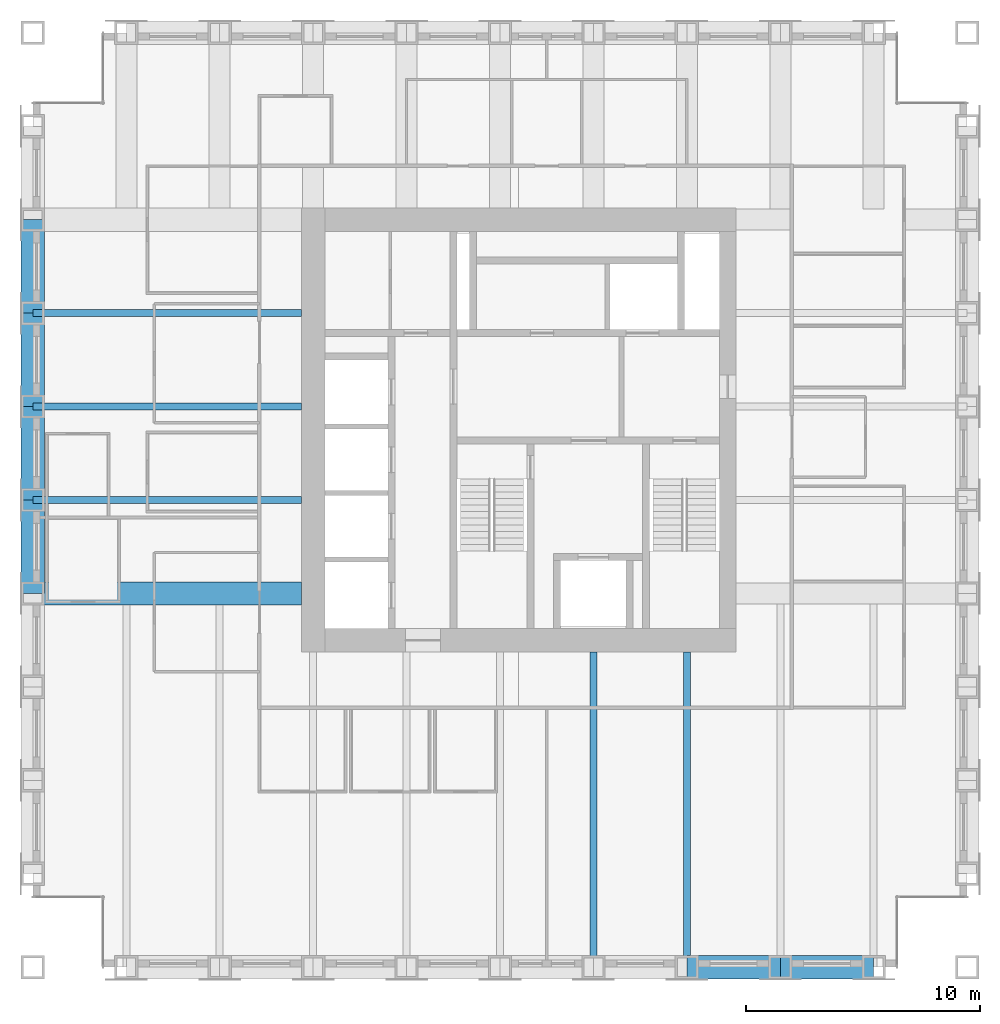
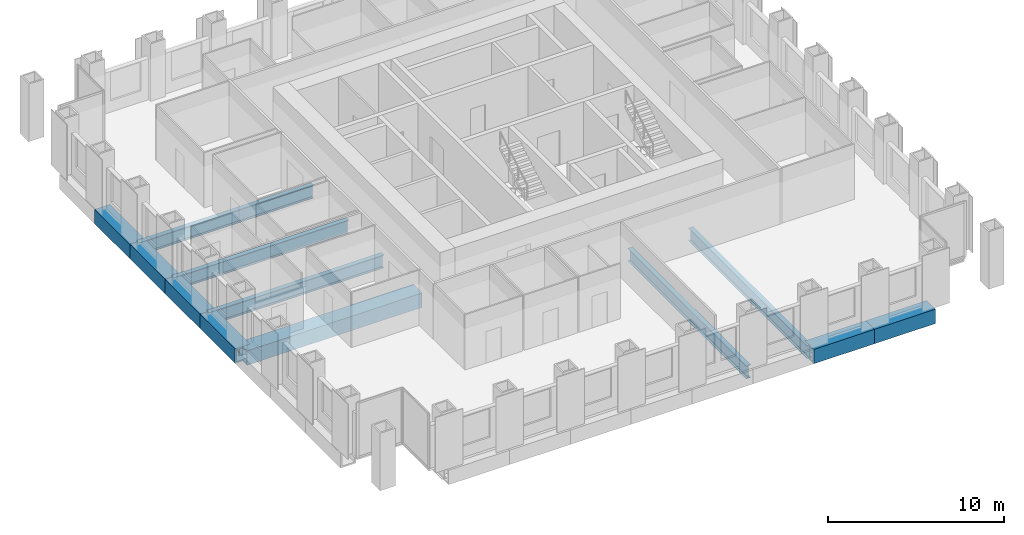
# One storey, part 3 of 13: 12 beams.
"""IFC4 building model written with IfcOpenShell, lengths in metres."""

from ifc_helpers import new_model, si_unit, direction, frame, origin, origin_2d, place, context, subcontext, project, spatial, hollow_rectangle, i_section, extrude, material, material_profile, profile_set, type_object, element, save


model = new_model("IFC4")

# Units and contexts
model_context = context("Model", 3, precision=1e-05, world=origin(), true_north=direction((0.0, 1.0)))
body_context = subcontext(model_context, "Body", "Model", "MODEL_VIEW")
ifc_project = project(units=[si_unit("LENGTHUNIT", "METRE"), si_unit("AREAUNIT", "SQUARE_METRE"), si_unit("VOLUMEUNIT", "CUBIC_METRE"), si_unit("PLANEANGLEUNIT", "RADIAN"), si_unit("MASSUNIT", "GRAM", prefix="KILO")], contexts=[model_context])

# Site, building, storey
site_placement = place(None, origin())
site = spatial("IfcSite", under=ifc_project, at=site_placement, CompositionType="ELEMENT")
building_placement = place(site_placement, origin())
building = spatial("IfcBuilding", under=site, at=building_placement, Name="Rimbunsela Tower", CompositionType="ELEMENT")
storey_placement = place(building_placement, frame((0.0, 0.0, 290.199951171875)))
storey = spatial("IfcBuildingStorey", under=building, at=storey_placement, Name="L70", CompositionType="ELEMENT", Elevation=290.199951171875)

# Beams
ifc_material_1 = material(Name="Steel BJ 55 (fy 410 MPa)", Category="steel")
ifc_material_profile_1 = material_profile(ifc_material_1, hollow_rectangle(XDim=1.0, YDim=1.0, WallThickness=0.10009765625, at=origin_2d()), Name="BOX 1000x1000x100")
ifc_profile_set_1 = profile_set([ifc_material_profile_1], Name="Steel BJ 55 (fy 410 MPa)")
beam_type_1 = type_object("IfcBeamType", Name="Beam BOX 1000x1000x100", PredefinedType="BEAM", material=ifc_profile_set_1)
beam_1_placement = place(storey_placement, frame((6.0, 20.0, -0.64990234375), z_axis=(0.0, 1.0, 0.0), x_axis=(-1.0, 0.0, 0.0)))
element("IfcBeam", 1, at=beam_1_placement, inside=storey, type_object=beam_type_1, Name="Beam B3 L70", PredefinedType="BEAM", context=body_context, shape_type="SweptSolid", body=[
    extrude(hollow_rectangle(XDim=1.0, YDim=1.0, WallThickness=0.10009765625, at=origin_2d()), origin(), (0.0, 0.0, 1.0), 4.0),
])
beam_2_placement = place(storey_placement, frame((6.0, 20.0, -0.64990234375), z_axis=(1.0, 0.0, 0.0), x_axis=(0.0, 1.0, 0.0)))
element("IfcBeam", 2, at=beam_2_placement, inside=storey, type_object=beam_type_1, Name="Beam B3 L70", PredefinedType="BEAM", context=body_context, shape_type="SweptSolid", body=[
    extrude(hollow_rectangle(XDim=1.0, YDim=1.0, WallThickness=0.10009765625, at=origin_2d()), origin(), (0.0, 0.0, 1.0), 11.5),
])
for number, where, z_axis, x_axis, name in (
    (3, (6.0, 24.0, -0.64990234375), (0.0, 1.0, 0.0), (-1.0, 0.0, 0.0), "Beam B3 L70"),
    (4, (6.0, 28.0, -0.64990234375), (0.0, 1.0, 0.0), (-1.0, 0.0, 0.0), "Beam B3 L70"),
    (5, (6.0, 32.0, -0.64990234375), (0.0, 1.0, 0.0), (-1.0, 0.0, 0.0), "Beam B3 L70"),
    (6, (34.0, 4.0, -0.64990234375), (1.0, 0.0, 0.0), (0.0, 1.0, 0.0), "Beam B3 L70"),
    (7, (38.0, 4.0, -0.64990234375), (1.0, 0.0, 0.0), (0.0, 1.0, 0.0), "Beam B3 L70"),
):
    element("IfcBeam", number, at=place(storey_placement, frame(where, z_axis=z_axis, x_axis=x_axis)), inside=storey, type_object=beam_type_1, Name=name, PredefinedType="BEAM", context=body_context, shape_type="SweptSolid", body=[
        extrude(hollow_rectangle(XDim=1.0, YDim=1.0, WallThickness=0.10009765625, at=origin_2d()), origin(), (0.0, 0.0, 1.0), 4.0),
    ])
ifc_material_2 = material(Name="Steel BJ 55 (fy 410 MPa)", Category="steel")
ifc_material_profile_2 = material_profile(ifc_material_2, i_section(OverallWidth=0.300048828125, OverallDepth=0.89990234375, WebThickness=0.01611328125, FlangeThickness=0.028076171875, FilletRadius=0.028076171875, at=origin_2d()), Name="H 900x300x16x28")
ifc_profile_set_2 = profile_set([ifc_material_profile_2], Name="Steel BJ 55 (fy 410 MPa)")
beam_type_2 = type_object("IfcBeamType", Name="Beam H 900x300x16x28", PredefinedType="BEAM", material=ifc_profile_set_2)
for number, where, z_axis, x_axis, name in (
    (8, (6.0, 24.0, -0.599853515625), (1.0, 0.0, 0.0), (0.0, 1.0, 0.0), "Beam B2 L70"),
    (9, (6.0, 28.0, -0.599853515625), (1.0, 0.0, 0.0), (0.0, 1.0, 0.0), "Beam B2 L70"),
    (10, (6.0, 32.0, -0.599853515625), (1.0, 0.0, 0.0), (0.0, 1.0, 0.0), "Beam B2 L70"),
):
    element("IfcBeam", number, at=place(storey_placement, frame(where, z_axis=z_axis, x_axis=x_axis)), inside=storey, type_object=beam_type_2, Name=name, PredefinedType="BEAM", context=body_context, shape_type="SweptSolid", body=[
        extrude(i_section(OverallWidth=0.300048828125, OverallDepth=0.89990234375, WebThickness=0.01611328125, FlangeThickness=0.028076171875, FilletRadius=0.028076171875, at=origin_2d()), origin(), (0.0, 0.0, 1.0), 11.5),
    ])
for number, where, z_axis, x_axis, name in (
    (11, (30.0, 4.0, -0.599853515625), (0.0, 1.0, 0.0), (-1.0, 0.0, 0.0), "Beam B2 L70"),
    (12, (34.0, 4.0, -0.599853515625), (0.0, 1.0, 0.0), (-1.0, 0.0, 0.0), "Beam B2 L70"),
):
    element("IfcBeam", number, at=place(storey_placement, frame(where, z_axis=z_axis, x_axis=x_axis)), inside=storey, type_object=beam_type_2, Name=name, PredefinedType="BEAM", context=body_context, shape_type="SweptSolid", body=[
        extrude(i_section(OverallWidth=0.300048828125, OverallDepth=0.89990234375, WebThickness=0.01611328125, FlangeThickness=0.028076171875, FilletRadius=0.028076171875, at=origin_2d()), origin(), (0.0, 0.0, 1.0), 13.5),
    ])

save(model, "model.ifc")
